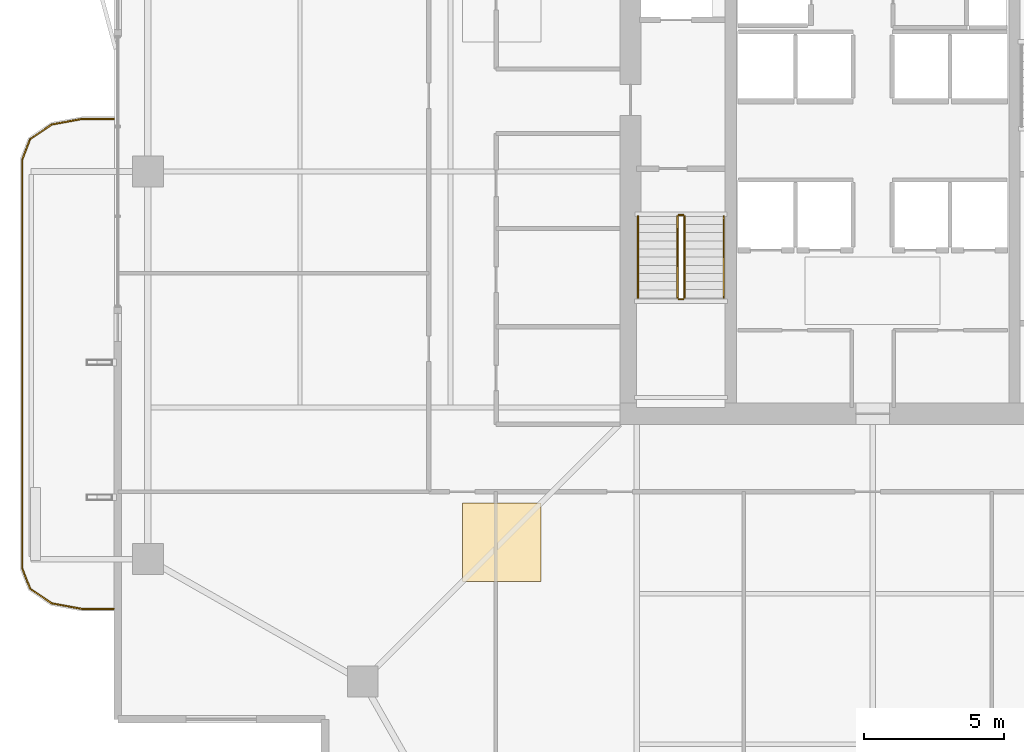
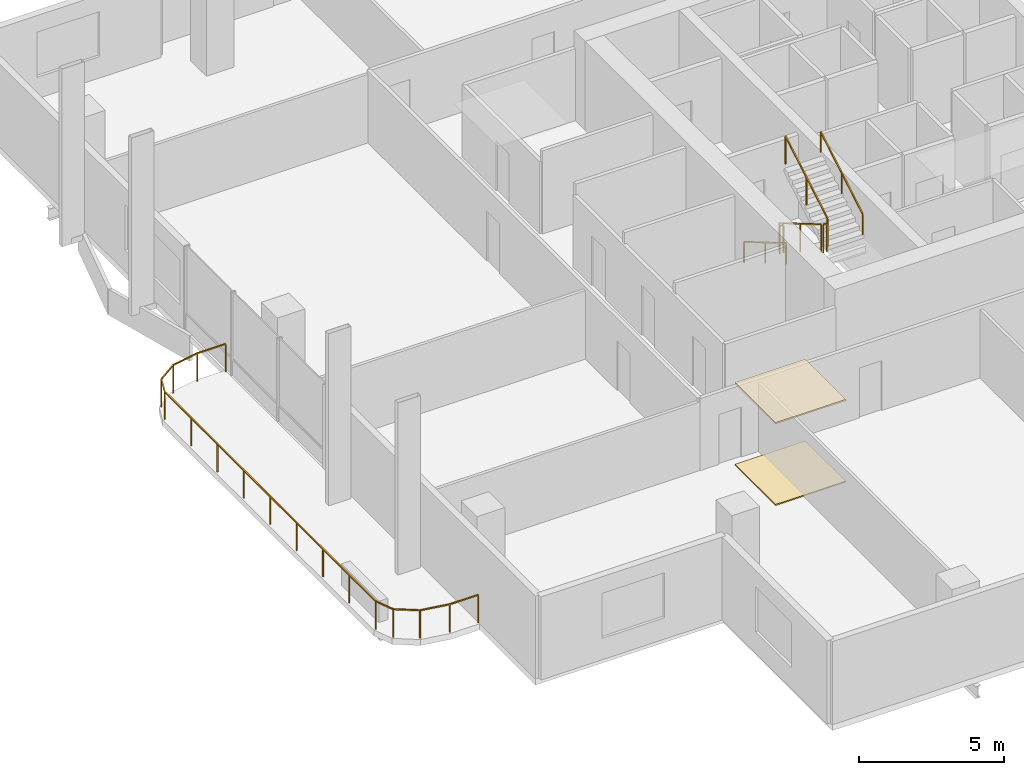
# One storey, part 21 of 24: 7 railings, 2 coverings.
"""IFC4 building model written with IfcOpenShell, lengths in metres."""

from ifc_helpers import new_model, si_unit, direction, frame, origin, origin_2d, place, context, subcontext, project, spatial, polyline, rectangle, outline, extrude, material, layer, layer_set, type_object, element, save


model = new_model("IFC4")

# Units and contexts
model_context = context("Model", 3, precision=1e-05, world=origin(), true_north=direction((0.0, 1.0)))
body_context = subcontext(model_context, "Body", "Model", "MODEL_VIEW")
ifc_project = project(units=[si_unit("LENGTHUNIT", "METRE"), si_unit("AREAUNIT", "SQUARE_METRE"), si_unit("VOLUMEUNIT", "CUBIC_METRE"), si_unit("PLANEANGLEUNIT", "RADIAN"), si_unit("MASSUNIT", "GRAM", prefix="KILO")], contexts=[model_context])

# Site, building, storey
site_placement = place(None, origin())
site = spatial("IfcSite", under=ifc_project, at=site_placement, CompositionType="ELEMENT")
building_placement = place(site_placement, origin())
building = spatial("IfcBuilding", under=site, at=building_placement, Name="Belovzor Exchange Tower", CompositionType="ELEMENT")
storey_placement = place(building_placement, frame((0.0, 0.0, 203.699951171875)))
storey = spatial("IfcBuildingStorey", under=building, at=storey_placement, Name="L50", CompositionType="ELEMENT", Elevation=203.699951171875)

# Railings
ifc_material_1 = material(Name="Stainless Steel Grade 304", Category="steel")
railing_type_1 = type_object("IfcRailingType", Name="Brushed Stainless Steel Stair Handrail 900", PredefinedType="HANDRAIL", material=ifc_material_1)
railing_1_placement = place(storey_placement, frame((20.449951171875, 27.199951171875, 0.17041015625)))
element("IfcRailing", 1, at=railing_1_placement, inside=storey, type_object=railing_type_1, Name="L50 ST-1 stair handrail 1", PredefinedType="HANDRAIL", context=body_context, shape_type="SweptSolid", body=[
    extrude(rectangle(XDim=0.048095703125, YDim=0.048095703125, at=origin_2d()), frame((0.0, 0.0, 0.8759765625), z_axis=(0.0, -0.86209462966, 0.506747323142), x_axis=(1.0, 0.0, 0.0)), (0.0, 0.0, 1.0), 3.36376953125),
    extrude(rectangle(XDim=0.0419921875, YDim=0.0419921875, at=origin_2d()), origin(), (0.0, 0.0, 1.0), 0.851806640625),
    extrude(rectangle(XDim=0.0419921875, YDim=0.0419921875, at=origin_2d()), frame((0.0, -1.449951171875, 0.852294921875)), (0.0, 0.0, 1.0), 0.851806640625),
    extrude(rectangle(XDim=0.0419921875, YDim=0.0419921875, at=origin_2d()), frame((0.0, -2.89990234375, 1.70458984375)), (0.0, 0.0, 1.0), 0.851806640625),
])
railing_2_placement = place(storey_placement, frame((23.5, 24.300048828125, 2.04541015625)))
element("IfcRailing", 2, at=railing_2_placement, inside=storey, type_object=railing_type_1, Name="L50 ST-1 stair handrail 2", PredefinedType="HANDRAIL", context=body_context, shape_type="SweptSolid", body=[
    extrude(rectangle(XDim=0.048095703125, YDim=0.048095703125, at=origin_2d()), frame((0.0, 0.0, 0.8759765625), z_axis=(0.0, 0.86209462966, 0.506747323142), x_axis=(-1.0, 0.0, 0.0)), (0.0, 0.0, 1.0), 3.36376953125),
    extrude(rectangle(XDim=0.0419921875, YDim=0.0419921875, at=origin_2d()), origin(), (0.0, 0.0, 1.0), 0.851806640625),
    extrude(rectangle(XDim=0.0419921875, YDim=0.0419921875, at=origin_2d()), frame((0.0, 1.449951171875, 0.852294921875)), (0.0, 0.0, 1.0), 0.851806640625),
    extrude(rectangle(XDim=0.0419921875, YDim=0.0419921875, at=origin_2d()), frame((0.0, 2.89990234375, 1.70458984375)), (0.0, 0.0, 1.0), 0.851806640625),
])
ifc_material_2 = material(Name="Stainless Steel and Laminated Safety Glass", Category="steel")
railing_type_2 = type_object("IfcRailingType", Name="Laminated Glass & Stainless Steel Balcony Balustrade 1200", PredefinedType="BALUSTRADE", material=ifc_material_2)
railing_3_placement = place(storey_placement, frame((1.7900390625, 30.669921875, 0.0)))
element("IfcRailing", 3, at=railing_3_placement, inside=storey, type_object=railing_type_2, Name="GR-1 Balcony Balustrade L50 West", PredefinedType="BALUSTRADE", context=body_context, shape_type="SweptSolid", body=[
    extrude(rectangle(XDim=0.048095703125, YDim=0.048095703125, at=origin_2d()), frame((0.0, 0.0, 1.17578125), z_axis=(-1.0, 0.0, 0.0), x_axis=(0.0, -1.0, 0.0)), (0.0, 0.0, 1.0), 1.133056640625),
    extrude(rectangle(XDim=0.048095703125, YDim=0.048095703125, at=origin_2d()), frame((-1.133056640625, 0.0, 1.17578125), z_axis=(-0.983644145941, -0.180122719713, 0.0), x_axis=(0.180122719713, -0.983644145941, 0.0)), (0.0, 0.0, 1.0), 1.09375),
    extrude(rectangle(XDim=0.048095703125, YDim=0.048095703125, at=origin_2d()), frame((-2.208984375, -0.197021484375, 1.17578125), z_axis=(-0.826614792125, -0.562768145367, 0.0), x_axis=(0.562768145367, -0.826614792125, 0.0)), (0.0, 0.0, 1.0), 0.9326171875),
    extrude(rectangle(XDim=0.048095703125, YDim=0.048095703125, at=origin_2d()), frame((-2.97998046875, -0.721923828125, 1.17578125), z_axis=(-0.365612923861, -0.930766990125, 0.0), x_axis=(0.930766990125, -0.365612923861, 0.0)), (0.0, 0.0, 1.0), 0.765869140625),
    extrude(rectangle(XDim=0.048095703125, YDim=0.048095703125, at=origin_2d()), frame((-3.260009765625, -1.434814453125, 1.17578125), z_axis=(0.0, -1.0, 0.0), x_axis=(1.0, 0.0, 0.0)), (0.0, 0.0, 1.0), 14.570068359375),
    extrude(rectangle(XDim=0.048095703125, YDim=0.048095703125, at=origin_2d()), frame((-3.260009765625, -16.0048828125, 1.17578125), z_axis=(0.365504480807, -0.930809580156, 0.0), x_axis=(0.930809580156, 0.365504480807, 0.0)), (0.0, 0.0, 1.0), 0.76611328125),
    extrude(rectangle(XDim=0.048095703125, YDim=0.048095703125, at=origin_2d()), frame((-2.97998046875, -16.718017578125, 1.17578125), z_axis=(0.826614792125, -0.562768145367, 0.0), x_axis=(0.562768145367, 0.826614792125, 0.0)), (0.0, 0.0, 1.0), 0.9326171875),
    extrude(rectangle(XDim=0.048095703125, YDim=0.048095703125, at=origin_2d()), frame((-2.208984375, -17.242919921875, 1.17578125), z_axis=(0.983644145941, -0.180122719713, 0.0), x_axis=(0.180122719713, 0.983644145941, 0.0)), (0.0, 0.0, 1.0), 1.09375),
    extrude(rectangle(XDim=0.048095703125, YDim=0.048095703125, at=origin_2d()), frame((-1.133056640625, -17.43994140625, 1.17578125), z_axis=(1.0, 0.0, 0.0), x_axis=(0.0, 1.0, 0.0)), (0.0, 0.0, 1.0), 1.133056640625),
    extrude(rectangle(XDim=0.0419921875, YDim=0.0419921875, at=origin_2d()), origin(), (0.0, 0.0, 1.0), 1.15185546875),
    extrude(rectangle(XDim=0.0419921875, YDim=0.0419921875, at=origin_2d()), frame((-1.133056640625, 0.0, 0.0)), (0.0, 0.0, 1.0), 1.15185546875),
    extrude(rectangle(XDim=0.0419921875, YDim=0.0419921875, at=origin_2d()), frame((-2.208984375, -0.197021484375, 0.0)), (0.0, 0.0, 1.0), 1.15185546875),
    extrude(rectangle(XDim=0.0419921875, YDim=0.0419921875, at=origin_2d()), frame((-2.97998046875, -0.721923828125, 0.0)), (0.0, 0.0, 1.0), 1.15185546875),
    extrude(rectangle(XDim=0.0419921875, YDim=0.0419921875, at=origin_2d()), frame((-3.260009765625, -1.434814453125, 0.0)), (0.0, 0.0, 1.0), 1.15185546875),
    extrude(rectangle(XDim=0.0419921875, YDim=0.0419921875, at=origin_2d()), frame((-3.260009765625, -3.256103515625, 0.0)), (0.0, 0.0, 1.0), 1.15185546875),
    extrude(rectangle(XDim=0.0419921875, YDim=0.0419921875, at=origin_2d()), frame((-3.260009765625, -5.077392578125, 0.0)), (0.0, 0.0, 1.0), 1.15185546875),
    extrude(rectangle(XDim=0.0419921875, YDim=0.0419921875, at=origin_2d()), frame((-3.260009765625, -6.898681640625, 0.0)), (0.0, 0.0, 1.0), 1.15185546875),
    extrude(rectangle(XDim=0.0419921875, YDim=0.0419921875, at=origin_2d()), frame((-3.260009765625, -8.7197265625, 0.0)), (0.0, 0.0, 1.0), 1.15185546875),
    extrude(rectangle(XDim=0.0419921875, YDim=0.0419921875, at=origin_2d()), frame((-3.260009765625, -10.541015625, 0.0)), (0.0, 0.0, 1.0), 1.15185546875),
    extrude(rectangle(XDim=0.0419921875, YDim=0.0419921875, at=origin_2d()), frame((-3.260009765625, -12.3623046875, 0.0)), (0.0, 0.0, 1.0), 1.15185546875),
    extrude(rectangle(XDim=0.0419921875, YDim=0.0419921875, at=origin_2d()), frame((-3.260009765625, -14.18359375, 0.0)), (0.0, 0.0, 1.0), 1.15185546875),
    extrude(rectangle(XDim=0.0419921875, YDim=0.0419921875, at=origin_2d()), frame((-3.260009765625, -16.0048828125, 0.0)), (0.0, 0.0, 1.0), 1.15185546875),
    extrude(rectangle(XDim=0.0419921875, YDim=0.0419921875, at=origin_2d()), frame((-2.97998046875, -16.718017578125, 0.0)), (0.0, 0.0, 1.0), 1.15185546875),
    extrude(rectangle(XDim=0.0419921875, YDim=0.0419921875, at=origin_2d()), frame((-2.208984375, -17.242919921875, 0.0)), (0.0, 0.0, 1.0), 1.15185546875),
    extrude(rectangle(XDim=0.0419921875, YDim=0.0419921875, at=origin_2d()), frame((-1.133056640625, -17.43994140625, 0.0)), (0.0, 0.0, 1.0), 1.15185546875),
    extrude(rectangle(XDim=0.0419921875, YDim=0.0419921875, at=origin_2d()), frame((0.0, -17.43994140625, 0.0)), (0.0, 0.0, 1.0), 1.15185546875),
])
ifc_material_3 = material(Name="Steel S355", Category="steel")
railing_type_3 = type_object("IfcRailingType", Name="Painted Steel Stairwell Guardrail 1200", PredefinedType="GUARDRAIL", material=ifc_material_3)
railing_4_placement = place(storey_placement, frame((21.85009765625, 27.199951171875, 0.17041015625)))
element("IfcRailing", 4, at=railing_4_placement, inside=storey, type_object=railing_type_3, Name="L50 ST-1 stair guard 1", PredefinedType="GUARDRAIL", context=body_context, shape_type="SweptSolid", body=[
    extrude(rectangle(XDim=0.048095703125, YDim=0.048095703125, at=origin_2d()), frame((0.0, 0.0, 1.17578125), z_axis=(0.0, -0.86209462966, 0.506747323142), x_axis=(1.0, 0.0, 0.0)), (0.0, 0.0, 1.0), 3.36376953125),
    extrude(rectangle(XDim=0.0419921875, YDim=0.0419921875, at=origin_2d()), origin(), (0.0, 0.0, 1.0), 1.15185546875),
    extrude(rectangle(XDim=0.0419921875, YDim=0.0419921875, at=origin_2d()), frame((0.0, -1.449951171875, 0.852294921875)), (0.0, 0.0, 1.0), 1.15185546875),
    extrude(rectangle(XDim=0.0419921875, YDim=0.0419921875, at=origin_2d()), frame((0.0, -2.89990234375, 1.70458984375)), (0.0, 0.0, 1.0), 1.15185546875),
])
railing_5_placement = place(storey_placement, frame((21.89990234375, 24.25, 1.875)))
element("IfcRailing", 5, at=railing_5_placement, inside=storey, type_object=railing_type_3, Name="L50 ST-1 stair guard 2", PredefinedType="GUARDRAIL", context=body_context, shape_type="SweptSolid", body=[
    extrude(rectangle(XDim=0.048095703125, YDim=0.048095703125, at=origin_2d()), frame((0.0, 0.0, 1.17578125), z_axis=(1.0, 0.0, 0.0), x_axis=(0.0, 1.0, 0.0)), (0.0, 0.0, 1.0), 0.150146484375),
    extrude(rectangle(XDim=0.0419921875, YDim=0.0419921875, at=origin_2d()), origin(), (0.0, 0.0, 1.0), 1.15185546875),
    extrude(rectangle(XDim=0.0419921875, YDim=0.0419921875, at=origin_2d()), frame((0.150146484375, 0.0, 0.0)), (0.0, 0.0, 1.0), 1.15185546875),
])
railing_6_placement = place(storey_placement, frame((22.10009765625, 24.300048828125, 2.04541015625)))
element("IfcRailing", 6, at=railing_6_placement, inside=storey, type_object=railing_type_3, Name="L50 ST-1 stair guard 3", PredefinedType="GUARDRAIL", context=body_context, shape_type="SweptSolid", body=[
    extrude(rectangle(XDim=0.048095703125, YDim=0.048095703125, at=origin_2d()), frame((0.0, 0.0, 1.17578125), z_axis=(0.0, 0.86209462966, 0.506747323142), x_axis=(-1.0, 0.0, 0.0)), (0.0, 0.0, 1.0), 3.36376953125),
    extrude(rectangle(XDim=0.0419921875, YDim=0.0419921875, at=origin_2d()), origin(), (0.0, 0.0, 1.0), 1.15185546875),
    extrude(rectangle(XDim=0.0419921875, YDim=0.0419921875, at=origin_2d()), frame((0.0, 1.449951171875, 0.852294921875)), (0.0, 0.0, 1.0), 1.15185546875),
    extrude(rectangle(XDim=0.0419921875, YDim=0.0419921875, at=origin_2d()), frame((0.0, 2.89990234375, 1.70458984375)), (0.0, 0.0, 1.0), 1.15185546875),
])
railing_7_placement = place(storey_placement, frame((21.89990234375, 27.25, 0.0)))
element("IfcRailing", 7, at=railing_7_placement, inside=storey, type_object=railing_type_3, Name="L50 ST-1 stair guard 4", PredefinedType="GUARDRAIL", context=body_context, shape_type="SweptSolid", body=[
    extrude(rectangle(XDim=0.048095703125, YDim=0.048095703125, at=origin_2d()), frame((0.0, 0.0, 1.17578125), z_axis=(1.0, 0.0, 0.0), x_axis=(0.0, 1.0, 0.0)), (0.0, 0.0, 1.0), 0.150146484375),
    extrude(rectangle(XDim=0.0419921875, YDim=0.0419921875, at=origin_2d()), origin(), (0.0, 0.0, 1.0), 1.15185546875),
    extrude(rectangle(XDim=0.0419921875, YDim=0.0419921875, at=origin_2d()), frame((0.150146484375, 0.0, 0.0)), (0.0, 0.0, 1.0), 1.15185546875),
])

# Coverings
ifc_material_4 = material(Name="Perforated Powder-Coated Aluminium", Category="aluminium")
ifc_layer_1 = layer(ifc_material_4, 0.06005859375)
ifc_layer_set_1 = layer_set([ifc_layer_1], Name="Perforated Powder-Coated Aluminium")
covering_type_1 = type_object("IfcCoveringType", Name="Perforated Acoustic Metal Tile Suspended Ceiling 60", PredefinedType="CEILING", material=ifc_layer_set_1)
covering_1_placement = place(storey_placement, frame((0.0, 0.0, 3.43994140625)))
element("IfcCovering", 8, at=covering_1_placement, inside=storey, type_object=covering_type_1, Name="CLG-AC60 Suspended Ceiling CLG-L50-Z0", PredefinedType="CEILING", context=body_context, shape_type="SweptSolid", body=[
    extrude(outline(polyline([(14.199951171875, 14.199951171875), (17.0, 14.199951171875), (17.0, 17.0), (14.199951171875, 17.0), (14.199951171875, 14.199951171875)])), origin(), (0.0, 0.0, 1.0), 0.06005859375),
])
ifc_material_5 = material(Name="Polished Natural Granite Tile", Category="masonry")
ifc_layer_2 = layer(ifc_material_5, 0.050048828125)
ifc_layer_set_2 = layer_set([ifc_layer_2], Name="Polished Natural Granite Tile")
covering_type_2 = type_object("IfcCoveringType", Name="Polished Karelian Granite & Raised Access Floor Finish 50", PredefinedType="FLOORING", material=ifc_layer_set_2)
covering_2_placement = place(storey_placement, origin())
element("IfcCovering", 9, at=covering_2_placement, inside=storey, type_object=covering_type_2, Name="FLR-GR50 Floor Finish FLR-L50-Z0", PredefinedType="FLOORING", context=body_context, shape_type="SweptSolid", body=[
    extrude(outline(polyline([(14.199951171875, 14.199951171875), (17.0, 14.199951171875), (17.0, 17.0), (14.199951171875, 17.0), (14.199951171875, 14.199951171875)])), origin(), (0.0, 0.0, 1.0), 0.050048828125),
])

save(model, "model.ifc")
